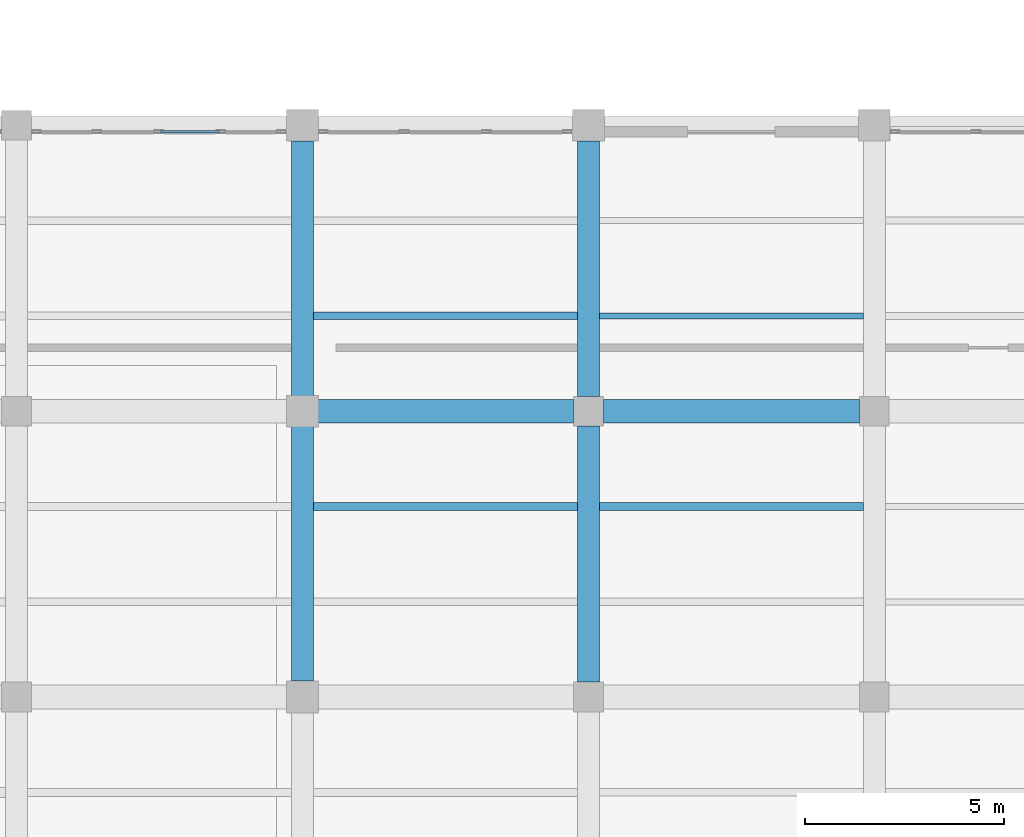
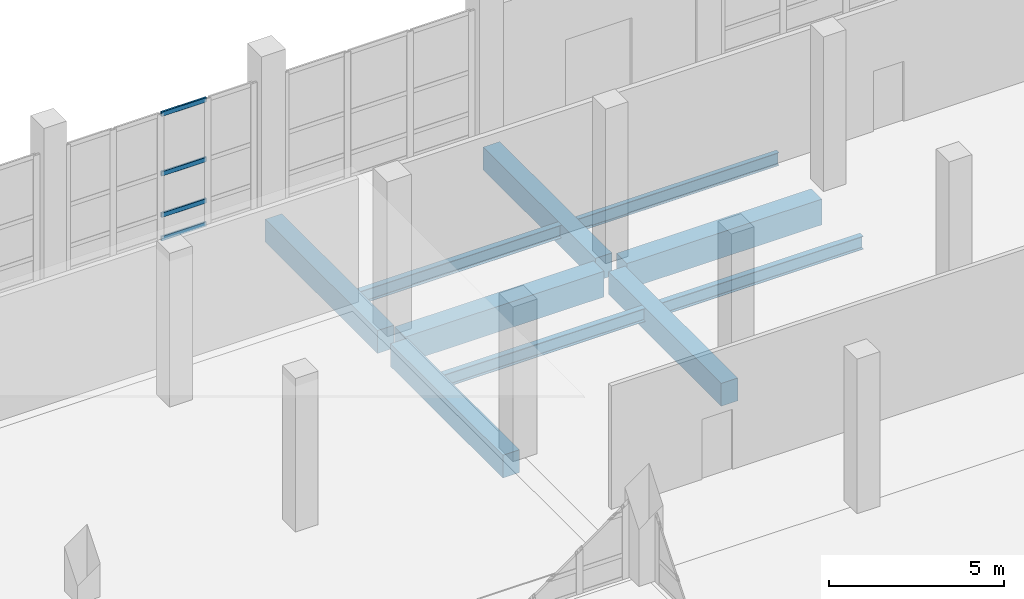
# One storey, part 41 of 137: 10 beams, 4 members, 1 element without a shape of its own.
"""IFC4 building model written with IfcOpenShell, lengths in metres."""

from ifc_helpers import new_model, si_unit, direction, frame, origin, origin_2d, place, context, subcontext, project, spatial, rectangle, hollow_rectangle, i_section, extrude, material, material_profile, profile_set, type_object, element, aggregate, save


model = new_model("IFC4")

# Units and contexts
model_context = context("Model", 3, precision=1e-05, world=origin(), true_north=direction((0.0, 1.0)))
body_context = subcontext(model_context, "Body", "Model", "MODEL_VIEW")
ifc_project = project(units=[si_unit("LENGTHUNIT", "METRE"), si_unit("AREAUNIT", "SQUARE_METRE"), si_unit("VOLUMEUNIT", "CUBIC_METRE"), si_unit("PLANEANGLEUNIT", "RADIAN"), si_unit("MASSUNIT", "GRAM", prefix="KILO")], contexts=[model_context])

# Site, building, storey
site_placement = place(None, origin())
site = spatial("IfcSite", under=ifc_project, at=site_placement, CompositionType="ELEMENT")
building_placement = place(site_placement, origin())
building = spatial("IfcBuilding", under=site, at=building_placement, Name="Kalmorath City Hall", CompositionType="ELEMENT")
storey_placement = place(building_placement, origin())
storey = spatial("IfcBuildingStorey", under=building, at=storey_placement, Name="L00", CompositionType="ELEMENT", Elevation=0.0)

# Beams
ifc_material_1 = material(Name="Concrete C40/50", Category="concrete")
ifc_material_profile_1 = material_profile(ifc_material_1, rectangle(XDim=0.550048828125, YDim=0.800048828125, at=origin_2d()), Name="RC-BM-550X800")
ifc_profile_set_1 = profile_set([ifc_material_profile_1], Name="Concrete C40/50")
beam_type_1 = type_object("IfcBeamType", Name="Concrete floor girder 550x800", PredefinedType="BEAM", material=ifc_profile_set_1)
for number, where, z_axis, x_axis, name in (
    (1, (115.199951171875, 29.199951171875, -0.7041015625), (0.0, 1.0, 0.0), (-1.0, 0.0, 0.0), "L00 girder CB2 Y17/5-6"),
    (2, (115.199951171875, 36.375, -0.7041015625), (0.0, 1.0, 0.0), (-1.0, 0.0, 0.0), "L00 girder CB2 Y17/6-7"),
):
    element("IfcBeam", number, at=place(storey_placement, frame(where, z_axis=z_axis, x_axis=x_axis)), inside=storey, type_object=beam_type_1, Name=name, PredefinedType="BEAM", context=body_context, shape_type="SweptSolid", body=[
        extrude(rectangle(XDim=0.550048828125, YDim=0.800048828125, at=origin_2d()), origin(), (0.0, 0.0, 1.0), 6.425048828125),
    ])
beam_1_placement = place(storey_placement, frame((122.39990234375, 29.175048828125, -0.7041015625), z_axis=(0.0, 1.0, 0.0), x_axis=(-1.0, 0.0, 0.0)))
element("IfcBeam", 3, at=beam_1_placement, inside=storey, type_object=beam_type_1, Name="L00 girder CB2 Y18/5-6", PredefinedType="BEAM", context=body_context, shape_type="SweptSolid", body=[
    extrude(rectangle(XDim=0.550048828125, YDim=0.800048828125, at=origin_2d()), origin(), (0.0, 0.0, 1.0), 6.449951171875),
])
beam_2_placement = place(storey_placement, frame((122.39990234375, 36.375, -0.7041015625), z_axis=(0.0, 1.0, 0.0), x_axis=(-1.0, 0.0, 0.0)))
element("IfcBeam", 4, at=beam_2_placement, inside=storey, type_object=beam_type_1, Name="L00 girder CB2 Y18/6-7", PredefinedType="BEAM", context=body_context, shape_type="SweptSolid", body=[
    extrude(rectangle(XDim=0.550048828125, YDim=0.800048828125, at=origin_2d()), origin(), (0.0, 0.0, 1.0), 6.425048828125),
])
ifc_material_2 = material(Name="Concrete C40/50", Category="concrete")
ifc_material_profile_2 = material_profile(ifc_material_2, rectangle(XDim=0.60009765625, YDim=0.89990234375, at=origin_2d()), Name="RC-BM-600X900")
ifc_profile_set_2 = profile_set([ifc_material_profile_2], Name="Concrete C40/50")
beam_type_2 = type_object("IfcBeamType", Name="Concrete floor girder 600x900", PredefinedType="BEAM", material=ifc_profile_set_2)
beam_3_placement = place(storey_placement, frame((115.449951171875, 36.0, -0.75390625), z_axis=(1.0, 0.0, 0.0), x_axis=(0.0, 1.0, 0.0)))
element("IfcBeam", 5, at=beam_3_placement, inside=storey, type_object=beam_type_2, Name="L00 girder CB1 X17-18/6", PredefinedType="BEAM", context=body_context, shape_type="SweptSolid", body=[
    extrude(rectangle(XDim=0.60009765625, YDim=0.89990234375, at=origin_2d()), origin(), (0.0, 0.0, 1.0), 6.574951171875),
])
beam_4_placement = place(storey_placement, frame((122.77490234375, 36.0, -0.75390625), z_axis=(1.0, 0.0, 0.0), x_axis=(0.0, 1.0, 0.0)))
element("IfcBeam", 6, at=beam_4_placement, inside=storey, type_object=beam_type_2, Name="L00 girder CB1 X18-19/6", PredefinedType="BEAM", context=body_context, shape_type="SweptSolid", body=[
    extrude(rectangle(XDim=0.60009765625, YDim=0.89990234375, at=origin_2d()), origin(), (0.0, 0.0, 1.0), 6.4501953125),
])

# Curtain wall, members
ifc_material_3 = material(Name="Anodised aluminium and laminated glass", Category="aluminium")
curtain_wall_type = type_object("IfcCurtainWallType", Name="Unitised hurricane curtain wall 6245x4411 M1500", PredefinedType="NOTDEFINED", material=ifc_material_3)
curtain_wall_placement = place(storey_placement, origin())
curtain_wall = element("IfcCurtainWall", 7, at=curtain_wall_placement, inside=storey, type_object=curtain_wall_type, Name="L00 curtain wall CW-62X44M15 #38", PredefinedType="NOTDEFINED")
ifc_material_4 = material(Name="Anodised aluminium framing", Category="aluminium")
ifc_material_profile_3 = material_profile(ifc_material_4, hollow_rectangle(XDim=0.06494140625, YDim=0.159912109375, WallThickness=0.00390625, InnerFilletRadius=0.00390625, OuterFilletRadius=0.008056640625, at=origin_2d()), Name="ALU-TRN-160X65X4")
ifc_profile_set_3 = profile_set([ifc_material_profile_3], Name="Anodised aluminium framing")
member_type = type_object("IfcMemberType", Name="Curtain-wall primary transom 160x65", PredefinedType="USERDEFINED", material=ifc_profile_set_3)
member_1_placement = place(storey_placement, frame((111.625, 43.0400390625, 0.032470703125), z_axis=(1.0, 0.0, 0.0), x_axis=(0.0, 1.0, 0.0)))
member_1 = element("IfcMember", 8, at=member_1_placement, type_object=member_type, Name="CW-62X44M15 transom 3.1", ObjectType="TRANSOM", PredefinedType="USERDEFINED", context=body_context, shape_type="SweptSolid", body=[
    extrude(hollow_rectangle(XDim=0.06494140625, YDim=0.159912109375, WallThickness=0.00390625, InnerFilletRadius=0.00390625, OuterFilletRadius=0.008056640625, at=origin_2d()), origin(), (0.0, 0.0, 1.0), 1.486328125),
])
member_2_placement = place(storey_placement, frame((111.625, 43.0400390625, 0.85009765625), z_axis=(1.0, 0.0, 0.0), x_axis=(0.0, 1.0, 0.0)))
member_2 = element("IfcMember", 9, at=member_2_placement, type_object=member_type, Name="CW-62X44M15 transom 3.2", ObjectType="TRANSOM", PredefinedType="USERDEFINED", context=body_context, shape_type="SweptSolid", body=[
    extrude(hollow_rectangle(XDim=0.06494140625, YDim=0.159912109375, WallThickness=0.00390625, InnerFilletRadius=0.00390625, OuterFilletRadius=0.008056640625, at=origin_2d()), origin(), (0.0, 0.0, 1.0), 1.486328125),
])
member_3_placement = place(storey_placement, frame((111.625, 43.0400390625, 2.2939453125), z_axis=(1.0, 0.0, 0.0), x_axis=(0.0, 1.0, 0.0)))
member_3 = element("IfcMember", 10, at=member_3_placement, type_object=member_type, Name="CW-62X44M15 transom 3.3", ObjectType="TRANSOM", PredefinedType="USERDEFINED", context=body_context, shape_type="SweptSolid", body=[
    extrude(hollow_rectangle(XDim=0.06494140625, YDim=0.159912109375, WallThickness=0.00390625, InnerFilletRadius=0.00390625, OuterFilletRadius=0.008056640625, at=origin_2d()), origin(), (0.0, 0.0, 1.0), 1.486328125),
])
member_4_placement = place(storey_placement, frame((111.625, 43.0400390625, 4.37841796875), z_axis=(1.0, 0.0, 0.0), x_axis=(0.0, 1.0, 0.0)))
member_4 = element("IfcMember", 11, at=member_4_placement, type_object=member_type, Name="CW-62X44M15 transom 3.4", ObjectType="TRANSOM", PredefinedType="USERDEFINED", context=body_context, shape_type="SweptSolid", body=[
    extrude(hollow_rectangle(XDim=0.06494140625, YDim=0.159912109375, WallThickness=0.00390625, InnerFilletRadius=0.00390625, OuterFilletRadius=0.008056640625, at=origin_2d()), origin(), (0.0, 0.0, 1.0), 1.486328125),
])
aggregate(curtain_wall, [member_1, member_2, member_3, member_4])

# Beams
ifc_material_5 = material(Name="Steel ASTM A992 Grade 50", Category="steel")
ifc_material_profile_4 = material_profile(ifc_material_5, i_section(OverallWidth=0.153076171875, OverallDepth=0.455078125, WebThickness=0.008056640625, FlangeThickness=0.01318359375, FilletRadius=0.013916015625, at=origin_2d()), Name="W18X40")
ifc_profile_set_4 = profile_set([ifc_material_profile_4], Name="Steel ASTM A992 Grade 50")
beam_type_3 = type_object("IfcBeamType", Name="Steel composite joist W18X40", PredefinedType="JOIST", material=ifc_profile_set_4)
beam_5_placement = place(storey_placement, frame((122.675048828125, 38.39990234375, -0.531494140625), z_axis=(1.0, 0.0, 0.0), x_axis=(0.0, 1.0, 0.0)))
element("IfcBeam", 12, at=beam_5_placement, inside=storey, type_object=beam_type_3, Name="L00 joist SJ4 18.6.1", PredefinedType="JOIST", context=body_context, shape_type="SweptSolid", body=[
    extrude(i_section(OverallWidth=0.153076171875, OverallDepth=0.455078125, WebThickness=0.008056640625, FlangeThickness=0.01318359375, FilletRadius=0.013916015625, at=origin_2d()), origin(), (0.0, 0.0, 1.0), 6.64990234375),
])
ifc_material_6 = material(Name="Steel ASTM A992 Grade 50", Category="steel")
ifc_material_profile_5 = material_profile(ifc_material_6, i_section(OverallWidth=0.19091796875, OverallDepth=0.45703125, WebThickness=0.009033203125, FlangeThickness=0.014404296875, FilletRadius=0.013916015625, at=origin_2d()), Name="W18X50")
ifc_profile_set_5 = profile_set([ifc_material_profile_5], Name="Steel ASTM A992 Grade 50")
beam_type_4 = type_object("IfcBeamType", Name="Steel composite joist W18X50", PredefinedType="JOIST", material=ifc_profile_set_5)
for number, where, z_axis, x_axis, name in (
    (13, (115.47509765625, 38.39990234375, -0.532470703125), (1.0, 0.0, 0.0), (0.0, 1.0, 0.0), "L00 joist SJ3 17.6.1"),
    (14, (122.675048828125, 33.60009765625, -0.532470703125), (1.0, 0.0, 0.0), (0.0, 1.0, 0.0), "L00 joist SJ3 18.5.2"),
):
    element("IfcBeam", number, at=place(storey_placement, frame(where, z_axis=z_axis, x_axis=x_axis)), inside=storey, type_object=beam_type_4, Name=name, PredefinedType="JOIST", context=body_context, shape_type="SweptSolid", body=[
        extrude(i_section(OverallWidth=0.19091796875, OverallDepth=0.45703125, WebThickness=0.009033203125, FlangeThickness=0.014404296875, FilletRadius=0.013916015625, at=origin_2d()), origin(), (0.0, 0.0, 1.0), 6.64990234375),
    ])
ifc_material_7 = material(Name="Steel ASTM A992 Grade 50", Category="steel")
ifc_material_profile_6 = material_profile(ifc_material_7, i_section(OverallWidth=0.19091796875, OverallDepth=0.4599609375, WebThickness=0.010009765625, FlangeThickness=0.01611328125, FilletRadius=0.013916015625, at=origin_2d()), Name="W18X55")
ifc_profile_set_6 = profile_set([ifc_material_profile_6], Name="Steel ASTM A992 Grade 50")
beam_type_5 = type_object("IfcBeamType", Name="Steel composite joist W18X55", PredefinedType="JOIST", material=ifc_profile_set_6)
beam_6_placement = place(storey_placement, frame((115.47509765625, 33.60009765625, -0.533935546875), z_axis=(1.0, 0.0, 0.0), x_axis=(0.0, 1.0, 0.0)))
element("IfcBeam", 15, at=beam_6_placement, inside=storey, type_object=beam_type_5, Name="L00 joist SJ2 17.5.2", PredefinedType="JOIST", context=body_context, shape_type="SweptSolid", body=[
    extrude(i_section(OverallWidth=0.19091796875, OverallDepth=0.4599609375, WebThickness=0.010009765625, FlangeThickness=0.01611328125, FilletRadius=0.013916015625, at=origin_2d()), origin(), (0.0, 0.0, 1.0), 6.64990234375),
])

save(model, "model.ifc")
